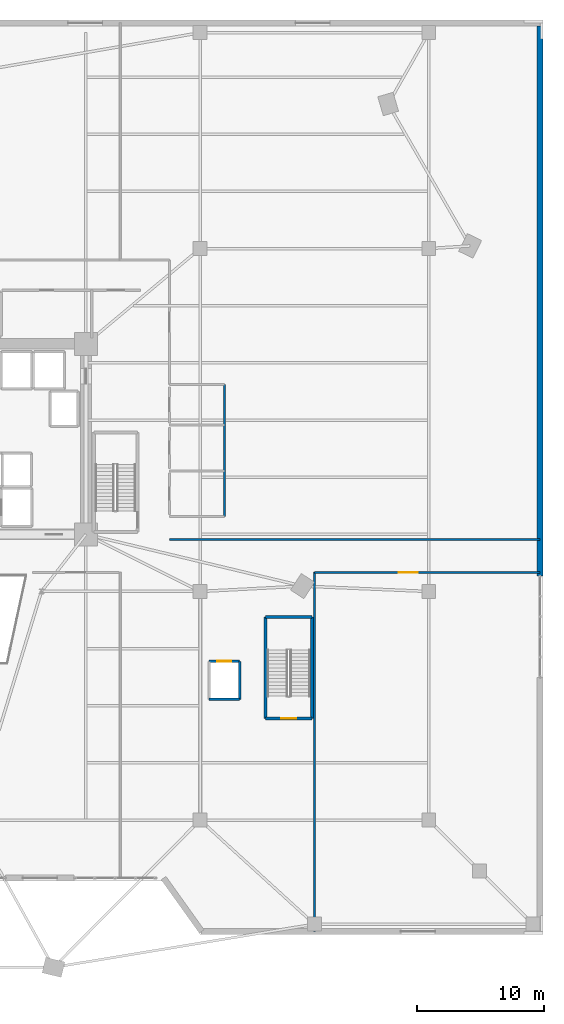
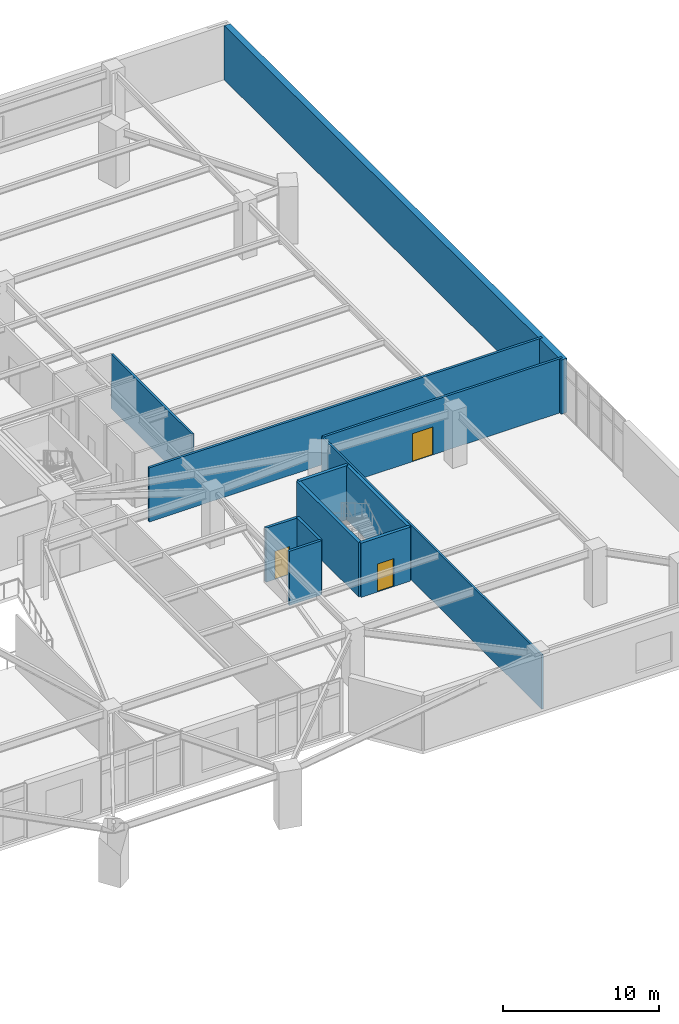
# One storey, part 22 of 29: 12 walls, 3 doors, 3 openings.
"""IFC4 building model written with IfcOpenShell, lengths in metres."""

from ifc_helpers import new_model, si_unit, direction, frame, frame_2d, origin, place, context, subcontext, project, spatial, rectangle, extrude, source, transform, mapped, material, layer, layer_set, type_object, element, fill, save


model = new_model("IFC4")

# Units and contexts
model_context = context("Model", 3, precision=1e-05, world=origin(), true_north=direction((0.0, 1.0)))
body_context = subcontext(model_context, "Body", "Model", "MODEL_VIEW")
ifc_project = project(units=[si_unit("LENGTHUNIT", "METRE"), si_unit("AREAUNIT", "SQUARE_METRE"), si_unit("VOLUMEUNIT", "CUBIC_METRE"), si_unit("PLANEANGLEUNIT", "RADIAN"), si_unit("MASSUNIT", "GRAM", prefix="KILO")], contexts=[model_context])

# Site, building, storey
site_placement = place(None, origin())
site = spatial("IfcSite", under=ifc_project, at=site_placement, CompositionType="ELEMENT")
building_placement = place(site_placement, origin())
building = spatial("IfcBuilding", under=site, at=building_placement, Name="Liaohun Quay Tower", CompositionType="ELEMENT")
storey_placement = place(building_placement, frame((0.0, 0.0, 5.39990234375)))
storey = spatial("IfcBuildingStorey", under=building, at=storey_placement, Name="L02", CompositionType="ELEMENT", Elevation=5.39990234375)

# Wall
ifc_material_1 = material(Name="Precast concrete C50 with granite facing", Category="masonry")
ifc_layer_1 = layer(ifc_material_1, 0.4599609375, Name="Precast concrete C50 with granite facing", Category="masonry")
ifc_layer_set_1 = layer_set([ifc_layer_1], Name="Precast concrete C50 with granite facing")
wall_type_1 = type_object("IfcWallType", Name="WAL-EXT-POD", PredefinedType="SOLIDWALL", material=ifc_layer_set_1)
wall_1_placement = place(storey_placement, frame((104.77001953125, 43.22998046875, 0.0), z_axis=(0.0, 0.0, 1.0), x_axis=(0.0, 1.0, 0.0)))
element("IfcWall", 1, at=wall_1_placement, inside=storey, type_object=wall_type_1, Name="L02 Podium Precast Facade Wall 5-2", PredefinedType="SOLIDWALL", context=body_context, shape_type="SweptSolid", body=[
    extrude(rectangle(XDim=43.300048828125, YDim=0.4599609375, at=frame_2d((21.64990234375, 0.0))), origin(), (0.0, 0.0, 1.0), 4.25),
])

# Wall, opening, door
ifc_material_2 = material(Name="Autoclaved aerated concrete blockwork", Category="masonry")
ifc_layer_2 = layer(ifc_material_2, 0.179931640625, Name="Autoclaved aerated concrete blockwork", Category="masonry")
ifc_layer_set_2 = layer_set([ifc_layer_2], Name="Autoclaved aerated concrete blockwork")
wall_type_2 = type_object("IfcWallType", Name="WAL-PRT-COR", PredefinedType="PARTITIONING", material=ifc_layer_set_2)
wall_2_placement = place(storey_placement, frame((87.0, 43.5, 0.0), z_axis=(0.0, 0.0, 1.0), x_axis=(1.0, 0.0, 0.0)))
wall_2 = element("IfcWall", 2, at=wall_2_placement, inside=storey, type_object=wall_type_2, Name="L02 Interior Partition Wall 012", PredefinedType="PARTITIONING", context=body_context, shape_type="SweptSolid", body=[
    extrude(rectangle(XDim=17.77490234375, YDim=0.179931640625, at=frame_2d((8.887451171875, 0.0))), origin(), (0.0, 0.0, 1.0), 4.25),
])
shared_shape_1 = source(origin(), body_context, "Body", "SweptSolid", [
    extrude(rectangle(XDim=1.5, YDim=2.199951171875, at=frame_2d((0.75, 1.10009765625))), frame((0.0, 0.099853515625, 0.0), z_axis=(0.0, -1.0, 0.0), x_axis=(1.0, 0.0, 0.0)), (0.0, 0.0, 1.0), 0.199951171875),
])
opening_1_placement = place(wall_2_placement, frame((6.637939453125, 0.0, 0.0)))
opening_1 = element("IfcOpeningElement", 3, at=opening_1_placement, cuts=wall_2, Name="Opening OD2", PredefinedType="OPENING", context=body_context, shape_type="MappedRepresentation", body=[
    mapped(shared_shape_1, transform((0.0, 0.0, 0.0), x_axis=(1.0, 0.0, 0.0), y_axis=(0.0, 1.0, 0.0), z_axis=(0.0, 0.0, 1.0), scale=1.0)),
])
ifc_material_3 = material(Name="Acoustic oak veneer double door")
door_type_1 = type_object("IfcDoorType", Name="DOR-OFF-1500", OperationType="DOUBLE_DOOR_SINGLE_SWING", PredefinedType="DOOR", material=ifc_material_3)
shared_shape_2 = source(origin(), body_context, "Body", "SweptSolid", [
    extrude(rectangle(XDim=1.5, YDim=2.199951171875, at=frame_2d((0.75, 1.10009765625))), frame((0.0, 0.02490234375, 0.0), z_axis=(0.0, -1.0, 0.0), x_axis=(1.0, 0.0, 0.0)), (0.0, 0.0, 1.0), 0.050048828125),
])
door_1_placement = place(opening_1_placement, origin())
door_1 = element("IfcDoor", 4, at=door_1_placement, inside=storey, type_object=door_type_1, Name="L02 East Podium Banking Concourse Door", OperationType="DOUBLE_DOOR_SINGLE_SWING", OverallHeight=2.199951171875, OverallWidth=1.5, PredefinedType="DOOR", context=body_context, shape_type="MappedRepresentation", body=[
    mapped(shared_shape_2, transform((0.0, 0.0, 0.0), x_axis=(1.0, 0.0, 0.0), y_axis=(0.0, 1.0, 0.0), z_axis=(0.0, 0.0, 1.0), scale=1.0)),
])
fill(opening_1, door_1)

# Walls
wall_3_placement = place(storey_placement, frame((75.580078125, 46.10009765625, 0.0), z_axis=(0.0, 0.0, 1.0), x_axis=(1.0, 0.0, 0.0)))
element("IfcWall", 5, at=wall_3_placement, inside=storey, type_object=wall_type_2, Name="L02 Interior Partition Wall 025", PredefinedType="PARTITIONING", context=body_context, shape_type="SweptSolid", body=[
    extrude(rectangle(XDim=29.19482421875, YDim=0.179931640625, at=frame_2d((14.597412109375, 0.0))), origin(), (0.0, 0.0, 1.0), 4.25),
])
ifc_material_4 = material(Name="Gypsum board on twin steel studs", Category="steel")
ifc_layer_3 = layer(ifc_material_4, 0.139892578125, Name="Gypsum board on twin steel studs", Category="steel")
ifc_layer_set_3 = layer_set([ifc_layer_3], Name="Gypsum board on twin steel studs")
wall_type_3 = type_object("IfcWallType", Name="WAL-PRT-OFF", PredefinedType="PARTITIONING", material=ifc_layer_set_3)
wall_4_placement = place(storey_placement, frame((87.0, 15.22509765625, 0.0), z_axis=(0.0, 0.0, 1.0), x_axis=(0.0, 1.0, 0.0)))
element("IfcWall", 6, at=wall_4_placement, inside=storey, type_object=wall_type_3, Name="L02 Interior Partition Wall 029", PredefinedType="PARTITIONING", context=body_context, shape_type="SweptSolid", body=[
    extrude(rectangle(XDim=28.27490234375, YDim=0.139892578125, at=frame_2d((14.137451171875, 0.0))), origin(), (0.0, 0.0, 1.0), 4.25),
])
ifc_material_5 = material(Name="Moisture-resistant masonry blockwork", Category="masonry")
ifc_layer_4 = layer(ifc_material_5, 0.159912109375, Name="Moisture-resistant masonry blockwork", Category="masonry")
ifc_layer_set_4 = layer_set([ifc_layer_4], Name="Moisture-resistant masonry blockwork")
wall_type_4 = type_object("IfcWallType", Name="WAL-PRT-WET", PredefinedType="PARTITIONING", material=ifc_layer_set_4)
wall_5_placement = place(storey_placement, frame((79.919921875, 47.919921875, 0.0), z_axis=(0.0, 0.0, 1.0), x_axis=(0.0, 1.0, 0.0)))
element("IfcWall", 7, at=wall_5_placement, inside=storey, type_object=wall_type_4, Name="L02 Interior Partition Wall 019", PredefinedType="PARTITIONING", context=body_context, shape_type="SweptSolid", body=[
    extrude(rectangle(XDim=10.360107421875, YDim=0.159912109375, at=frame_2d((5.18017578125, 0.0))), origin(), (0.0, 0.0, 1.0), 4.25),
])

# Wall, opening, door
ifc_material_6 = material(Name="Concrete C50", Category="concrete")
ifc_layer_5 = layer(ifc_material_6, 0.239990234375, Name="Concrete C50", Category="concrete")
ifc_layer_set_5 = layer_set([ifc_layer_5], Name="Concrete C50")
wall_type_5 = type_object("IfcWallType", Name="WAL-SHF-200", PredefinedType="SOLIDWALL", material=ifc_layer_set_5)
wall_6_placement = place(storey_placement, frame((83.159912109375, 32.0, 0.0), z_axis=(0.0, 0.0, 1.0), x_axis=(1.0, 0.0, 0.0)))
wall_6 = element("IfcWall", 8, at=wall_6_placement, inside=storey, type_object=wall_type_5, Name="L02 Stairwell ST-P2 Structural Core Wall S", PredefinedType="SOLIDWALL", context=body_context, shape_type="SweptSolid", body=[
    extrude(rectangle(XDim=3.64013671875, YDim=0.239990234375, at=frame_2d((1.820068359375, 0.0))), origin(), (0.0, 0.0, 1.0), 4.25),
])
shared_shape_3 = source(origin(), body_context, "Body", "SweptSolid", [
    extrude(rectangle(XDim=1.199951171875, YDim=2.199951171875, at=frame_2d((0.60009765625, 1.10009765625))), frame((0.0, 0.1298828125, 0.0), z_axis=(0.0, -1.0, 0.0), x_axis=(1.0, 0.0, 0.0)), (0.0, 0.0, 1.0), 0.260009765625),
])
opening_2_placement = place(wall_6_placement, frame((1.219970703125, 0.0, 0.0)))
opening_2 = element("IfcOpeningElement", 9, at=opening_2_placement, cuts=wall_6, Name="Opening SD1", PredefinedType="OPENING", context=body_context, shape_type="MappedRepresentation", body=[
    mapped(shared_shape_3, transform((0.0, 0.0, 0.0), x_axis=(1.0, 0.0, 0.0), y_axis=(0.0, 1.0, 0.0), z_axis=(0.0, 0.0, 1.0), scale=1.0)),
])
ifc_material_7 = material(Name="Galvanised steel fire door", Category="steel")
door_type_2 = type_object("IfcDoorType", Name="DOR-STR-1200", OperationType="NOTDEFINED", PredefinedType="DOOR", material=ifc_material_7)
shared_shape_4 = source(origin(), body_context, "Body", "SweptSolid", [
    extrude(rectangle(XDim=1.199951171875, YDim=2.199951171875, at=frame_2d((0.60009765625, 1.10009765625))), frame((0.0, 0.02490234375, 0.0), z_axis=(0.0, -1.0, 0.0), x_axis=(1.0, 0.0, 0.0)), (0.0, 0.0, 1.0), 0.050048828125),
])
door_2_placement = place(opening_2_placement, origin())
door_2 = element("IfcDoor", 10, at=door_2_placement, inside=storey, type_object=door_type_2, Name="L02 Protected Stair ST-P2 Fire Door", OperationType="SINGLE_SWING_RIGHT", OverallHeight=2.199951171875, OverallWidth=1.199951171875, PredefinedType="DOOR", context=body_context, shape_type="MappedRepresentation", body=[
    mapped(shared_shape_4, transform((0.0, 0.0, 0.0), x_axis=(1.0, 0.0, 0.0), y_axis=(0.0, 1.0, 0.0), z_axis=(0.0, 0.0, 1.0), scale=1.0)),
])
fill(opening_2, door_2)

# Walls
wall_7_placement = place(storey_placement, frame((86.800048828125, 32.0, 0.0), z_axis=(0.0, 0.0, 1.0), x_axis=(0.0, 1.0, 0.0)))
element("IfcWall", 11, at=wall_7_placement, inside=storey, type_object=wall_type_5, Name="L02 Stairwell ST-P2 Structural Core Wall E", PredefinedType="SOLIDWALL", context=body_context, shape_type="SweptSolid", body=[
    extrude(rectangle(XDim=8.0, YDim=0.239990234375, at=frame_2d((4.0, 0.0))), origin(), (0.0, 0.0, 1.0), 4.25),
])
wall_8_placement = place(storey_placement, frame((86.800048828125, 40.0, 0.0), z_axis=(0.0, 0.0, 1.0), x_axis=(-1.0, 0.0, 0.0)))
element("IfcWall", 12, at=wall_8_placement, inside=storey, type_object=wall_type_5, Name="L02 Stairwell ST-P2 Structural Core Wall N", PredefinedType="SOLIDWALL", context=body_context, shape_type="SweptSolid", body=[
    extrude(rectangle(XDim=3.64013671875, YDim=0.239990234375, at=frame_2d((1.820068359375, 0.0))), origin(), (0.0, 0.0, 1.0), 4.25),
])
wall_9_placement = place(storey_placement, frame((83.159912109375, 40.0, 0.0), z_axis=(0.0, 0.0, 1.0), x_axis=(0.0, -1.0, 0.0)))
element("IfcWall", 13, at=wall_9_placement, inside=storey, type_object=wall_type_5, Name="L02 Stairwell ST-P2 Structural Core Wall W", PredefinedType="SOLIDWALL", context=body_context, shape_type="SweptSolid", body=[
    extrude(rectangle(XDim=8.0, YDim=0.239990234375, at=frame_2d((4.0, 0.0))), origin(), (0.0, 0.0, 1.0), 4.25),
])
wall_10_placement = place(storey_placement, frame((78.699951171875, 33.5, 0.0), z_axis=(0.0, 0.0, 1.0), x_axis=(1.0, 0.0, 0.0)))
element("IfcWall", 14, at=wall_10_placement, inside=storey, type_object=wall_type_5, Name="L02 Lift PD-02 Hoistway Wall S", PredefinedType="SOLIDWALL", context=body_context, shape_type="SweptSolid", body=[
    extrude(rectangle(XDim=2.400146484375, YDim=0.199951171875, at=frame_2d((1.2001953125, 0.0))), origin(), (0.0, 0.0, 1.0), 4.25),
])
wall_11_placement = place(storey_placement, frame((81.10009765625, 33.5, 0.0), z_axis=(0.0, 0.0, 1.0), x_axis=(0.0, 1.0, 0.0)))
element("IfcWall", 15, at=wall_11_placement, inside=storey, type_object=wall_type_5, Name="L02 Lift PD-02 Hoistway Wall E", PredefinedType="SOLIDWALL", context=body_context, shape_type="SweptSolid", body=[
    extrude(rectangle(XDim=3.0, YDim=0.199951171875, at=frame_2d((1.5, 0.0))), origin(), (0.0, 0.0, 1.0), 4.25),
])

# Wall, opening, door
wall_12_placement = place(storey_placement, frame((81.10009765625, 36.5, 0.0), z_axis=(0.0, 0.0, 1.0), x_axis=(-1.0, 0.0, 0.0)))
wall_12 = element("IfcWall", 16, at=wall_12_placement, inside=storey, type_object=wall_type_5, Name="L02 Lift PD-02 Hoistway Wall N", PredefinedType="SOLIDWALL", context=body_context, shape_type="SweptSolid", body=[
    extrude(rectangle(XDim=2.400146484375, YDim=0.199951171875, at=frame_2d((1.2001953125, 0.0))), origin(), (0.0, 0.0, 1.0), 4.25),
])
shared_shape_5 = source(origin(), body_context, "Body", "SweptSolid", [
    extrude(rectangle(XDim=1.10009765625, YDim=2.199951171875, at=frame_2d((0.550048828125, 1.10009765625))), frame((0.0, 0.10986328125, 0.0), z_axis=(0.0, -1.0, 0.0), x_axis=(1.0, 0.0, 0.0)), (0.0, 0.0, 1.0), 0.219970703125),
])
opening_3_placement = place(wall_12_placement, frame((0.64990234375, 0.0, 0.0)))
opening_3 = element("IfcOpeningElement", 17, at=opening_3_placement, cuts=wall_12, Name="Opening LD1", PredefinedType="OPENING", context=body_context, shape_type="MappedRepresentation", body=[
    mapped(shared_shape_5, transform((0.0, 0.0, 0.0), x_axis=(1.0, 0.0, 0.0), y_axis=(0.0, 1.0, 0.0), z_axis=(0.0, 0.0, 1.0), scale=1.0)),
])
ifc_material_8 = material(Name="Brushed stainless steel landing door", Category="steel")
door_type_3 = type_object("IfcDoorType", Name="DOR-LFT-1100", OperationType="SLIDING_TO_LEFT", PredefinedType="DOOR", material=ifc_material_8)
shared_shape_6 = source(origin(), body_context, "Body", "SweptSolid", [
    extrude(rectangle(XDim=1.10009765625, YDim=2.199951171875, at=frame_2d((0.550048828125, 1.10009765625))), frame((0.0, 0.02490234375, 0.0), z_axis=(0.0, -1.0, 0.0), x_axis=(1.0, 0.0, 0.0)), (0.0, 0.0, 1.0), 0.050048828125),
])
door_3_placement = place(opening_3_placement, origin())
door_3 = element("IfcDoor", 18, at=door_3_placement, inside=storey, type_object=door_type_3, Name="L02 Lift PD-02 Sliding Landing Door", OperationType="SLIDING_TO_LEFT", OverallHeight=2.199951171875, OverallWidth=1.10009765625, PredefinedType="DOOR", context=body_context, shape_type="MappedRepresentation", body=[
    mapped(shared_shape_6, transform((0.0, 0.0, 0.0), x_axis=(1.0, 0.0, 0.0), y_axis=(0.0, 1.0, 0.0), z_axis=(0.0, 0.0, 1.0), scale=1.0)),
])
fill(opening_3, door_3)

save(model, "model.ifc")
